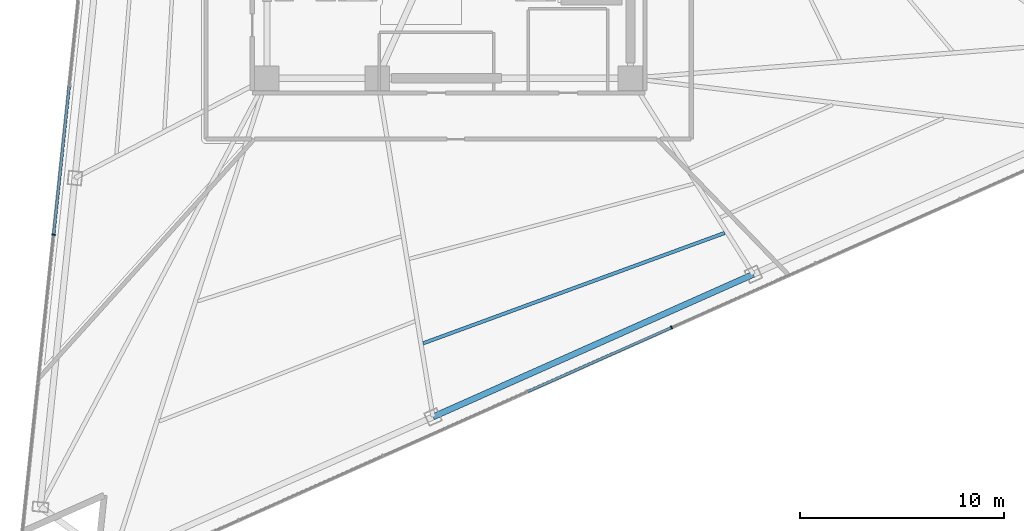
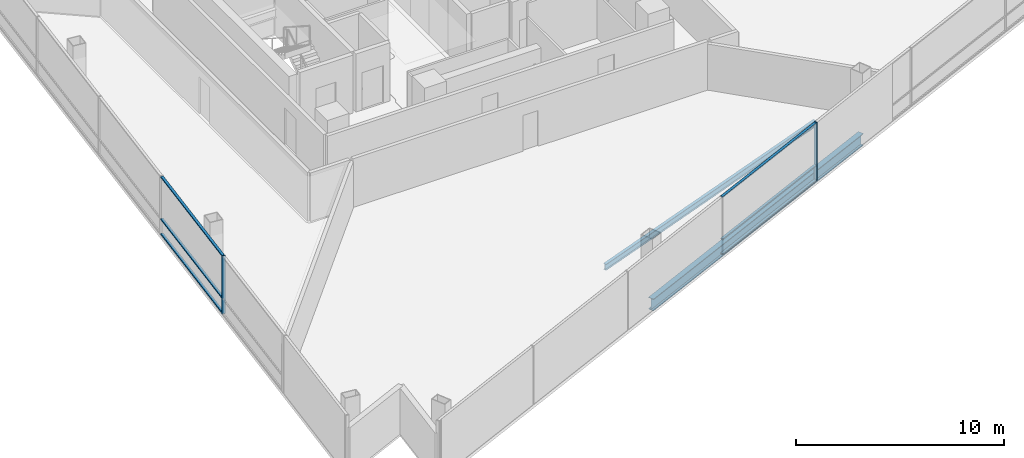
# One storey, part 3 of 16: 8 members, 2 beams, 2 elements without a shape of their own.
"""IFC4 building model written with IfcOpenShell, lengths in metres."""

from ifc_helpers import new_model, si_unit, direction, frame, origin, origin_2d, place, context, subcontext, project, spatial, rectangle, i_section, extrude, material, layer, layer_set, material_profile, profile_set, type_object, element, aggregate, save


model = new_model("IFC4")

# Units and contexts
model_context = context("Model", 3, precision=1e-05, world=origin(), true_north=direction((0.0, 1.0)))
body_context = subcontext(model_context, "Body", "Model", "MODEL_VIEW")
ifc_project = project(units=[si_unit("LENGTHUNIT", "METRE"), si_unit("AREAUNIT", "SQUARE_METRE"), si_unit("VOLUMEUNIT", "CUBIC_METRE"), si_unit("PLANEANGLEUNIT", "RADIAN"), si_unit("MASSUNIT", "GRAM", prefix="KILO")], contexts=[model_context])

# Site, building, storey
site_placement = place(None, origin())
site = spatial("IfcSite", under=ifc_project, at=site_placement, CompositionType="ELEMENT")
building_placement = place(site_placement, origin())
building = spatial("IfcBuilding", under=site, at=building_placement, Name="Tharavind Bronze Gate", CompositionType="ELEMENT")
storey_placement = place(building_placement, frame((0.0, 0.0, 123.25)))
storey = spatial("IfcBuildingStorey", under=building, at=storey_placement, Name="L31", CompositionType="ELEMENT", Elevation=123.25)

# Curtain wall, member
ifc_material_1 = material(Name="Anodised Bronze Aluminium", Category="aluminium")
ifc_layer = layer(ifc_material_1, 0.219970703125)
ifc_layer_set = layer_set([ifc_layer], Name="Anodised Bronze Aluminium")
curtain_wall_type = type_object("IfcCurtainWallType", Name="UNITISED CURTAIN WALL LOWER OFFICE", PredefinedType="USERDEFINED", material=ifc_layer_set)
curtain_wall_1_placement = place(storey_placement, origin())
curtain_wall_1 = element("IfcCurtainWall", 1, at=curtain_wall_1_placement, inside=storey, type_object=curtain_wall_type, Name="L31 unitised curtain wall lower office CW-L31-S1", ObjectType="UNITISED CURTAIN WALL", PredefinedType="USERDEFINED")
member_type_1 = type_object("IfcMemberType", Name="CURTAIN WALL BRONZE MULLION 65X180", PredefinedType="MULLION", material=ifc_material_1)
member_1_placement = place(storey_placement, frame((-19.349853515625, -15.2646484375, 0.0), z_axis=(0.0, 0.0, 1.0), x_axis=(-0.104526727499, -0.994522077803, 0.0)))
member_1 = element("IfcMember", 2, at=member_1_placement, type_object=member_type_1, Name="CW-L31-S1 mullion 6", PredefinedType="MULLION", context=body_context, shape_type="SweptSolid", body=[
    extrude(rectangle(XDim=0.06494140625, YDim=0.179931640625, at=origin_2d()), origin(), (0.0, 0.0, 1.0), 3.409912109375),
])

curtain_wall_2_placement = place(storey_placement, origin())
curtain_wall_2 = element("IfcCurtainWall", 3, at=curtain_wall_2_placement, inside=storey, type_object=curtain_wall_type, Name="L31 unitised curtain wall lower office CW-L31-S2", ObjectType="UNITISED CURTAIN WALL", PredefinedType="USERDEFINED")
member_2_placement = place(storey_placement, frame((10.913330078125, -19.80859375, 0.0), z_axis=(0.0, 0.0, 1.0), x_axis=(0.913545457643, 0.406736643076, 0.0)))
member_2 = element("IfcMember", 4, at=member_2_placement, type_object=member_type_1, Name="CW-L31-S2 mullion 5", PredefinedType="MULLION", context=body_context, shape_type="SweptSolid", body=[
    extrude(rectangle(XDim=0.06494140625, YDim=0.179931640625, at=origin_2d()), origin(), (0.0, 0.0, 1.0), 3.409912109375),
])

# Member
member_type_2 = type_object("IfcMemberType", Name="CURTAIN WALL BRONZE TRANSOM 65X140", PredefinedType="USERDEFINED", material=ifc_material_1)
member_3_placement = place(storey_placement, frame((-18.967529296875, -11.628173828125, 0.0), z_axis=(0.0, 0.0, 1.0), x_axis=(-0.104526727499, -0.994522077803, 0.0)))
member_3 = element("IfcMember", 5, at=member_3_placement, type_object=member_type_2, Name="CW-L31-S1 transom TB5", ObjectType="TRANSOM", PredefinedType="USERDEFINED", context=body_context, shape_type="SweptSolid", body=[
    extrude(rectangle(XDim=7.26025390625, YDim=0.139892578125, at=origin_2d()), origin(), (0.0, 0.0, 1.0), 0.06494140625),
])

member_4_placement = place(storey_placement, frame((-18.967529296875, -11.628173828125, 0.867431640625), z_axis=(0.0, 0.0, 1.0), x_axis=(-0.104526727499, -0.994522077803, 0.0)))
member_4 = element("IfcMember", 6, at=member_4_placement, type_object=member_type_2, Name="CW-L31-S1 transom TS5", ObjectType="TRANSOM", PredefinedType="USERDEFINED", context=body_context, shape_type="SweptSolid", body=[
    extrude(rectangle(XDim=7.26025390625, YDim=0.139892578125, at=origin_2d()), origin(), (0.0, 0.0, 1.0), 0.06494140625),
])

member_5_placement = place(storey_placement, frame((-18.967529296875, -11.628173828125, 3.344970703125), z_axis=(0.0, 0.0, 1.0), x_axis=(-0.104526727499, -0.994522077803, 0.0)))
member_5 = element("IfcMember", 7, at=member_5_placement, type_object=member_type_2, Name="CW-L31-S1 transom TT5", ObjectType="TRANSOM", PredefinedType="USERDEFINED", context=body_context, shape_type="SweptSolid", body=[
    extrude(rectangle(XDim=7.26025390625, YDim=0.139892578125, at=origin_2d()), origin(), (0.0, 0.0, 1.0), 0.06494140625),
])

aggregate(curtain_wall_1, [member_1, member_3, member_4, member_5])

member_6_placement = place(storey_placement, frame((7.38232421875, -21.380859375, 0.0), z_axis=(0.0, 0.0, 1.0), x_axis=(0.913545457643, 0.406736643076, 0.0)))
member_6 = element("IfcMember", 8, at=member_6_placement, type_object=member_type_2, Name="CW-L31-S2 transom TB4", ObjectType="TRANSOM", PredefinedType="USERDEFINED", context=body_context, shape_type="SweptSolid", body=[
    extrude(rectangle(XDim=7.677490234375, YDim=0.139892578125, at=origin_2d()), origin(), (0.0, 0.0, 1.0), 0.06494140625),
])

member_7_placement = place(storey_placement, frame((7.38232421875, -21.380859375, 0.867431640625), z_axis=(0.0, 0.0, 1.0), x_axis=(0.913545457643, 0.406736643076, 0.0)))
member_7 = element("IfcMember", 9, at=member_7_placement, type_object=member_type_2, Name="CW-L31-S2 transom TS4", ObjectType="TRANSOM", PredefinedType="USERDEFINED", context=body_context, shape_type="SweptSolid", body=[
    extrude(rectangle(XDim=7.677490234375, YDim=0.139892578125, at=origin_2d()), origin(), (0.0, 0.0, 1.0), 0.06494140625),
])

member_8_placement = place(storey_placement, frame((7.38232421875, -21.380859375, 3.344970703125), z_axis=(0.0, 0.0, 1.0), x_axis=(0.913545457643, 0.406736643076, 0.0)))
member_8 = element("IfcMember", 10, at=member_8_placement, type_object=member_type_2, Name="CW-L31-S2 transom TT4", ObjectType="TRANSOM", PredefinedType="USERDEFINED", context=body_context, shape_type="SweptSolid", body=[
    extrude(rectangle(XDim=7.677490234375, YDim=0.139892578125, at=origin_2d()), origin(), (0.0, 0.0, 1.0), 0.06494140625),
])

aggregate(curtain_wall_2, [member_2, member_6, member_7, member_8])

# Beams
ifc_material_2 = material(Name="Steel S355", Category="steel")
ifc_material_profile_1 = material_profile(ifc_material_2, i_section(OverallWidth=0.300048828125, OverallDepth=0.699951171875, WebThickness=0.01708984375, FlangeThickness=0.031982421875, at=origin_2d()), Name="HE700B")
ifc_profile_set_1 = profile_set([ifc_material_profile_1], Name="Steel S355")
beam_type_1 = type_object("IfcBeamType", Name="RING GIRDER HE700B", PredefinedType="USERDEFINED", material=ifc_profile_set_1)
beam_1_placement = place(storey_placement, frame((-0.766357421875, -24.18798828125, -0.5400390625), z_axis=(0.913546351362, 0.406734635744, 0.0), x_axis=(-0.406734635744, 0.913546351362, 0.0)))
element("IfcBeam", 11, at=beam_1_placement, inside=storey, type_object=beam_type_1, Name="L31 ring girder he700b BM-L31-PRG06", ObjectType="GIRDER", PredefinedType="USERDEFINED", context=body_context, shape_type="SweptSolid", body=[
    extrude(i_section(OverallWidth=0.300048828125, OverallDepth=0.699951171875, WebThickness=0.01708984375, FlangeThickness=0.031982421875, at=origin_2d()), origin(), (0.0, 0.0, 1.0), 17.171875),
])
ifc_material_profile_2 = material_profile(ifc_material_2, i_section(OverallWidth=0.169921875, OverallDepth=0.360107421875, WebThickness=0.008056640625, FlangeThickness=0.0126953125, at=origin_2d()), Name="IPE360")
ifc_profile_set_2 = profile_set([ifc_material_profile_2], Name="Steel S355")
beam_type_2 = type_object("IfcBeamType", Name="SECONDARY FLOOR JOIST IPE360", PredefinedType="JOIST", material=ifc_profile_set_2)
beam_2_placement = place(storey_placement, frame((-1.25, -20.58349609375, -0.3701171875), z_axis=(0.939077650043, 0.343705058428, 0.0), x_axis=(-0.343705058428, 0.939077650043, 0.0)))
element("IfcBeam", 12, at=beam_2_placement, inside=storey, type_object=beam_type_2, Name="L31 secondary floor joist ipe360 BM-L31-JSTB06", PredefinedType="JOIST", context=body_context, shape_type="SweptSolid", body=[
    extrude(i_section(OverallWidth=0.169921875, OverallDepth=0.360107421875, WebThickness=0.008056640625, FlangeThickness=0.0126953125, at=origin_2d()), origin(), (0.0, 0.0, 1.0), 15.72998046875),
])

save(model, "model.ifc")
